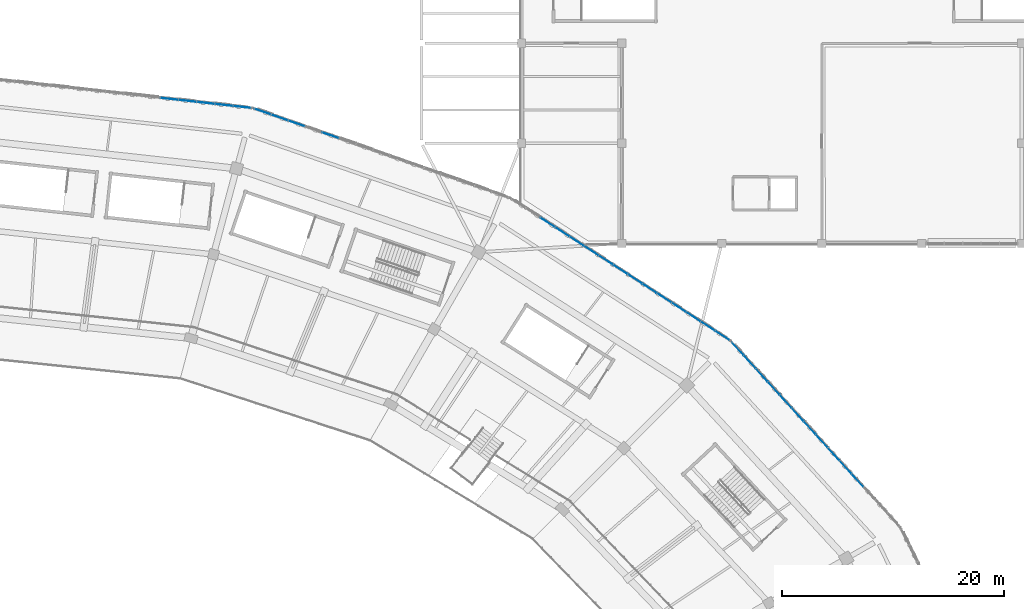
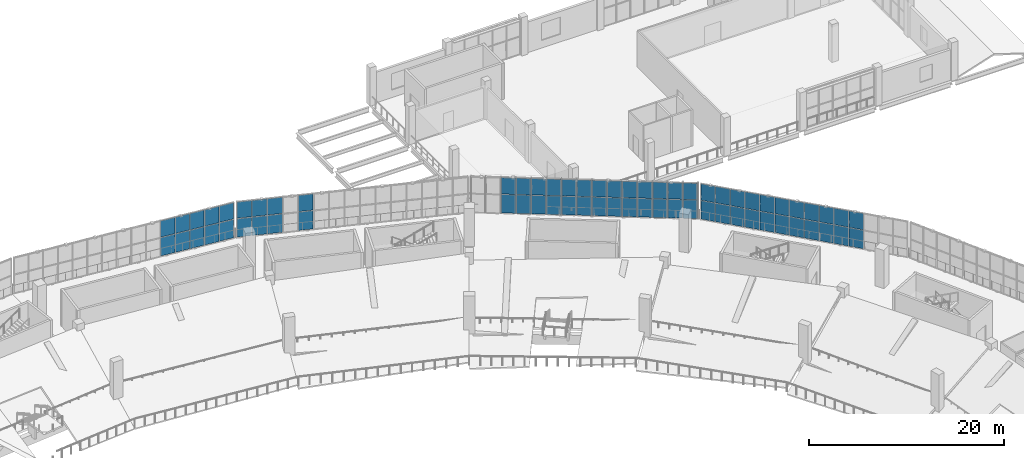
# One storey, part 87 of 152: 66 plates, 4 elements without a shape of their own.
"""IFC4 building model written with IfcOpenShell, lengths in metres."""

from ifc_helpers import new_model, si_unit, direction, frame, origin, origin_2d, place, context, subcontext, project, spatial, rectangle, extrude, material, layer, layer_set, type_object, element, aggregate, save


model = new_model("IFC4")

# Units and contexts
model_context = context("Model", 3, precision=1e-05, world=origin(), true_north=direction((0.0, 1.0)))
body_context = subcontext(model_context, "Body", "Model", "MODEL_VIEW")
ifc_project = project(units=[si_unit("LENGTHUNIT", "METRE"), si_unit("AREAUNIT", "SQUARE_METRE"), si_unit("VOLUMEUNIT", "CUBIC_METRE"), si_unit("PLANEANGLEUNIT", "RADIAN"), si_unit("MASSUNIT", "GRAM", prefix="KILO")], contexts=[model_context])

# Site, building, storey
site_placement = place(None, origin())
site = spatial("IfcSite", under=ifc_project, at=site_placement, CompositionType="ELEMENT")
building_placement = place(site_placement, origin())
building = spatial("IfcBuilding", under=site, at=building_placement, Name="Zevraka Park Crest Stadium", CompositionType="ELEMENT")
storey_placement = place(building_placement, frame((0.0, 0.0, 15.0)))
storey = spatial("IfcBuildingStorey", under=building, at=storey_placement, Name="L03", CompositionType="ELEMENT", Elevation=15.0)

# Curtain wall, plates
ifc_material_1 = material(Name="Anodised architectural aluminium and laminated safety glass", Category="aluminium")
curtain_wall_type_1 = type_object("IfcCurtainWallType", Name="CW11", PredefinedType="NOTDEFINED", material=ifc_material_1)
curtain_wall_1_placement = place(storey_placement, origin())
curtain_wall_1 = element("IfcCurtainWall", 1, at=curtain_wall_1_placement, inside=storey, type_object=curtain_wall_type_1, Name="Unitised Ring Curtain Wall CW11 L03-05", PredefinedType="NOTDEFINED")
ifc_material_2 = material(Name="Solar-control laminated double glazing", Category="glass")
ifc_layer_1 = layer(ifc_material_2, 0.028076171875)
ifc_layer_set_1 = layer_set([ifc_layer_1], Name="Solar-control laminated double glazing")
plate_type_1 = type_object("IfcPlateType", Name="CP11", PredefinedType="CURTAIN_PANEL", material=ifc_layer_set_1)
plate_1_placement = place(storey_placement, frame((135.86376953125, 170.268798828125, 0.06494140625), z_axis=(0.0, 0.0, 1.0), x_axis=(-0.993887680665, 0.110396006373, 0.0)))
plate_1 = element("IfcPlate", 2, at=plate_1_placement, type_object=plate_type_1, Name="CW11 panel 1.1", PredefinedType="CURTAIN_PANEL", context=body_context, shape_type="SweptSolid", body=[
    extrude(rectangle(XDim=1.550537109375, YDim=0.028076171875, at=origin_2d()), origin(), (0.0, 0.0, 1.0), 2.302490234375),
])
plate_2_placement = place(storey_placement, frame((135.86376953125, 170.268798828125, 2.4326171875), z_axis=(0.0, 0.0, 1.0), x_axis=(-0.993887680665, 0.110396006373, 0.0)))
plate_2 = element("IfcPlate", 3, at=plate_2_placement, type_object=plate_type_1, Name="CW11 panel 1.2", PredefinedType="CURTAIN_PANEL", context=body_context, shape_type="SweptSolid", body=[
    extrude(rectangle(XDim=1.550537109375, YDim=0.028076171875, at=origin_2d()), origin(), (0.0, 0.0, 1.0), 2.04248046875),
])
plate_3_placement = place(storey_placement, frame((134.2421875, 170.448974609375, 0.06494140625), z_axis=(0.0, 0.0, 1.0), x_axis=(-0.993887680665, 0.110396006373, 0.0)))
plate_3 = element("IfcPlate", 4, at=plate_3_placement, type_object=plate_type_1, Name="CW11 panel 2.1", PredefinedType="CURTAIN_PANEL", context=body_context, shape_type="SweptSolid", body=[
    extrude(rectangle(XDim=1.5830078125, YDim=0.028076171875, at=origin_2d()), origin(), (0.0, 0.0, 1.0), 2.302490234375),
])
plate_4_placement = place(storey_placement, frame((134.2421875, 170.448974609375, 2.4326171875), z_axis=(0.0, 0.0, 1.0), x_axis=(-0.993887680665, 0.110396006373, 0.0)))
plate_4 = element("IfcPlate", 5, at=plate_4_placement, type_object=plate_type_1, Name="CW11 panel 2.2", PredefinedType="CURTAIN_PANEL", context=body_context, shape_type="SweptSolid", body=[
    extrude(rectangle(XDim=1.5830078125, YDim=0.028076171875, at=origin_2d()), origin(), (0.0, 0.0, 1.0), 2.04248046875),
])
plate_5_placement = place(storey_placement, frame((132.604248046875, 170.630859375, 0.06494140625), z_axis=(0.0, 0.0, 1.0), x_axis=(-0.993887680665, 0.110396006373, 0.0)))
plate_5 = element("IfcPlate", 6, at=plate_5_placement, type_object=plate_type_1, Name="CW11 panel 3.1", PredefinedType="CURTAIN_PANEL", context=body_context, shape_type="SweptSolid", body=[
    extrude(rectangle(XDim=1.5830078125, YDim=0.028076171875, at=origin_2d()), origin(), (0.0, 0.0, 1.0), 2.302490234375),
])
plate_6_placement = place(storey_placement, frame((132.604248046875, 170.630859375, 2.4326171875), z_axis=(0.0, 0.0, 1.0), x_axis=(-0.993887680665, 0.110396006373, 0.0)))
plate_6 = element("IfcPlate", 7, at=plate_6_placement, type_object=plate_type_1, Name="CW11 panel 3.2", PredefinedType="CURTAIN_PANEL", context=body_context, shape_type="SweptSolid", body=[
    extrude(rectangle(XDim=1.5830078125, YDim=0.028076171875, at=origin_2d()), origin(), (0.0, 0.0, 1.0), 2.04248046875),
])
plate_7_placement = place(storey_placement, frame((130.96630859375, 170.812744140625, 0.06494140625), z_axis=(0.0, 0.0, 1.0), x_axis=(-0.993887680665, 0.110396006373, 0.0)))
plate_7 = element("IfcPlate", 8, at=plate_7_placement, type_object=plate_type_1, Name="CW11 panel 4.1", PredefinedType="CURTAIN_PANEL", context=body_context, shape_type="SweptSolid", body=[
    extrude(rectangle(XDim=1.5830078125, YDim=0.028076171875, at=origin_2d()), origin(), (0.0, 0.0, 1.0), 2.302490234375),
])
plate_8_placement = place(storey_placement, frame((130.96630859375, 170.812744140625, 2.4326171875), z_axis=(0.0, 0.0, 1.0), x_axis=(-0.993887680665, 0.110396006373, 0.0)))
plate_8 = element("IfcPlate", 9, at=plate_8_placement, type_object=plate_type_1, Name="CW11 panel 4.2", PredefinedType="CURTAIN_PANEL", context=body_context, shape_type="SweptSolid", body=[
    extrude(rectangle(XDim=1.5830078125, YDim=0.028076171875, at=origin_2d()), origin(), (0.0, 0.0, 1.0), 2.04248046875),
])
plate_9_placement = place(storey_placement, frame((129.328369140625, 170.99462890625, 0.06494140625), z_axis=(0.0, 0.0, 1.0), x_axis=(-0.993887680665, 0.110396006373, 0.0)))
plate_9 = element("IfcPlate", 10, at=plate_9_placement, type_object=plate_type_1, Name="CW11 panel 5.1", PredefinedType="CURTAIN_PANEL", context=body_context, shape_type="SweptSolid", body=[
    extrude(rectangle(XDim=1.5830078125, YDim=0.028076171875, at=origin_2d()), origin(), (0.0, 0.0, 1.0), 2.302490234375),
])
plate_10_placement = place(storey_placement, frame((129.328369140625, 170.99462890625, 2.4326171875), z_axis=(0.0, 0.0, 1.0), x_axis=(-0.993887680665, 0.110396006373, 0.0)))
plate_10 = element("IfcPlate", 11, at=plate_10_placement, type_object=plate_type_1, Name="CW11 panel 5.2", PredefinedType="CURTAIN_PANEL", context=body_context, shape_type="SweptSolid", body=[
    extrude(rectangle(XDim=1.5830078125, YDim=0.028076171875, at=origin_2d()), origin(), (0.0, 0.0, 1.0), 2.04248046875),
])
aggregate(curtain_wall_1, [plate_1, plate_2, plate_3, plate_4, plate_5, plate_6, plate_7, plate_8, plate_9, plate_10])

ifc_material_3 = material(Name="Anodised architectural aluminium and laminated safety glass", Category="aluminium")
curtain_wall_type_2 = type_object("IfcCurtainWallType", Name="CW12", PredefinedType="NOTDEFINED", material=ifc_material_3)
curtain_wall_2_placement = place(storey_placement, origin())
curtain_wall_2 = element("IfcCurtainWall", 12, at=curtain_wall_2_placement, inside=storey, type_object=curtain_wall_type_2, Name="Unitised Ring Curtain Wall CW12 L03-04", PredefinedType="NOTDEFINED")
ifc_material_4 = material(Name="Solar-control laminated double glazing", Category="glass")
ifc_layer_2 = layer(ifc_material_4, 0.028076171875)
ifc_layer_set_2 = layer_set([ifc_layer_2], Name="Solar-control laminated double glazing")
plate_type_2 = type_object("IfcPlateType", Name="CP12", PredefinedType="CURTAIN_PANEL", material=ifc_layer_set_2)
plate_11_placement = place(storey_placement, frame((143.8193359375, 167.71826171875, 0.070068359375), z_axis=(0.0, 0.0, 1.0), x_axis=(-0.944010008092, 0.329916814701, 0.0)))
plate_11 = element("IfcPlate", 13, at=plate_11_placement, type_object=plate_type_2, Name="CW12 panel 11.1", PredefinedType="CURTAIN_PANEL", context=body_context, shape_type="SweptSolid", body=[
    extrude(rectangle(XDim=1.54638671875, YDim=0.028076171875, at=origin_2d()), origin(), (0.0, 0.0, 1.0), 2.294921875),
])
plate_12_placement = place(storey_placement, frame((143.8193359375, 167.71826171875, 2.43505859375), z_axis=(0.0, 0.0, 1.0), x_axis=(-0.944010008092, 0.329916814701, 0.0)))
plate_12 = element("IfcPlate", 14, at=plate_12_placement, type_object=plate_type_2, Name="CW12 panel 11.2", PredefinedType="CURTAIN_PANEL", context=body_context, shape_type="SweptSolid", body=[
    extrude(rectangle(XDim=1.54638671875, YDim=0.028076171875, at=origin_2d()), origin(), (0.0, 0.0, 1.0), 2.034912109375),
])
plate_13_placement = place(storey_placement, frame((140.767578125, 168.784912109375, 0.070068359375), z_axis=(0.0, 0.0, 1.0), x_axis=(-0.944010008092, 0.329916814701, 0.0)))
plate_13 = element("IfcPlate", 15, at=plate_13_placement, type_object=plate_type_2, Name="CW12 panel 13.1", PredefinedType="CURTAIN_PANEL", context=body_context, shape_type="SweptSolid", body=[
    extrude(rectangle(XDim=1.54638671875, YDim=0.028076171875, at=origin_2d()), origin(), (0.0, 0.0, 1.0), 2.294921875),
])
plate_14_placement = place(storey_placement, frame((140.767578125, 168.784912109375, 2.43505859375), z_axis=(0.0, 0.0, 1.0), x_axis=(-0.944010008092, 0.329916814701, 0.0)))
plate_14 = element("IfcPlate", 16, at=plate_14_placement, type_object=plate_type_2, Name="CW12 panel 13.2", PredefinedType="CURTAIN_PANEL", context=body_context, shape_type="SweptSolid", body=[
    extrude(rectangle(XDim=1.54638671875, YDim=0.028076171875, at=origin_2d()), origin(), (0.0, 0.0, 1.0), 2.034912109375),
])
plate_15_placement = place(storey_placement, frame((139.24169921875, 169.318115234375, 0.070068359375), z_axis=(0.0, 0.0, 1.0), x_axis=(-0.944010008092, 0.329916814701, 0.0)))
plate_15 = element("IfcPlate", 17, at=plate_15_placement, type_object=plate_type_2, Name="CW12 panel 14.1", PredefinedType="CURTAIN_PANEL", context=body_context, shape_type="SweptSolid", body=[
    extrude(rectangle(XDim=1.54638671875, YDim=0.028076171875, at=origin_2d()), origin(), (0.0, 0.0, 1.0), 2.294921875),
])
plate_16_placement = place(storey_placement, frame((139.24169921875, 169.318115234375, 2.43505859375), z_axis=(0.0, 0.0, 1.0), x_axis=(-0.944010008092, 0.329916814701, 0.0)))
plate_16 = element("IfcPlate", 18, at=plate_16_placement, type_object=plate_type_2, Name="CW12 panel 14.2", PredefinedType="CURTAIN_PANEL", context=body_context, shape_type="SweptSolid", body=[
    extrude(rectangle(XDim=1.54638671875, YDim=0.028076171875, at=origin_2d()), origin(), (0.0, 0.0, 1.0), 2.034912109375),
])
plate_17_placement = place(storey_placement, frame((137.732421875, 169.845703125, 0.070068359375), z_axis=(0.0, 0.0, 1.0), x_axis=(-0.944010008092, 0.329916814701, 0.0)))
plate_17 = element("IfcPlate", 19, at=plate_17_placement, type_object=plate_type_2, Name="CW12 panel 15.1", PredefinedType="CURTAIN_PANEL", context=body_context, shape_type="SweptSolid", body=[
    extrude(rectangle(XDim=1.511474609375, YDim=0.028076171875, at=origin_2d()), origin(), (0.0, 0.0, 1.0), 2.294921875),
])
plate_18_placement = place(storey_placement, frame((137.732421875, 169.845703125, 2.43505859375), z_axis=(0.0, 0.0, 1.0), x_axis=(-0.944010008092, 0.329916814701, 0.0)))
plate_18 = element("IfcPlate", 20, at=plate_18_placement, type_object=plate_type_2, Name="CW12 panel 15.2", PredefinedType="CURTAIN_PANEL", context=body_context, shape_type="SweptSolid", body=[
    extrude(rectangle(XDim=1.511474609375, YDim=0.028076171875, at=origin_2d()), origin(), (0.0, 0.0, 1.0), 2.034912109375),
])
aggregate(curtain_wall_2, [plate_11, plate_12, plate_13, plate_14, plate_15, plate_16, plate_17, plate_18])

ifc_material_5 = material(Name="Anodised architectural aluminium and laminated safety glass", Category="aluminium")
curtain_wall_type_3 = type_object("IfcCurtainWallType", Name="CW13", PredefinedType="NOTDEFINED", material=ifc_material_5)
curtain_wall_3_placement = place(storey_placement, origin())
curtain_wall_3 = element("IfcCurtainWall", 21, at=curtain_wall_3_placement, inside=storey, type_object=curtain_wall_type_3, Name="Unitised Ring Curtain Wall CW13 L03-02", PredefinedType="NOTDEFINED")
ifc_material_6 = material(Name="Solar-control laminated double glazing", Category="glass")
ifc_layer_3 = layer(ifc_material_6, 0.031982421875)
ifc_layer_set_3 = layer_set([ifc_layer_3], Name="Solar-control laminated double glazing")
plate_type_3 = type_object("IfcPlateType", Name="CP13", PredefinedType="CURTAIN_PANEL", material=ifc_layer_set_3)
plate_19_placement = place(storey_placement, frame((191.218017578125, 136.692138671875, 0.06005859375), z_axis=(0.0, 0.0, 1.0), x_axis=(-0.672801685845, 0.739822878481, 0.0)))
plate_19 = element("IfcPlate", 22, at=plate_19_placement, type_object=plate_type_3, Name="CW13 panel 4.1", PredefinedType="CURTAIN_PANEL", context=body_context, shape_type="SweptSolid", body=[
    extrude(rectangle(XDim=1.539794921875, YDim=0.031982421875, at=origin_2d()), origin(), (0.0, 0.0, 1.0), 2.31005859375),
])
plate_20_placement = place(storey_placement, frame((191.218017578125, 136.692138671875, 2.43017578125), z_axis=(0.0, 0.0, 1.0), x_axis=(-0.672801685845, 0.739822878481, 0.0)))
plate_20 = element("IfcPlate", 23, at=plate_20_placement, type_object=plate_type_3, Name="CW13 panel 4.2", PredefinedType="CURTAIN_PANEL", context=body_context, shape_type="SweptSolid", body=[
    extrude(rectangle(XDim=1.539794921875, YDim=0.031982421875, at=origin_2d()), origin(), (0.0, 0.0, 1.0), 2.050048828125),
])
plate_21_placement = place(storey_placement, frame((190.1416015625, 137.875732421875, 0.06005859375), z_axis=(0.0, 0.0, 1.0), x_axis=(-0.672801685845, 0.739822878481, 0.0)))
plate_21 = element("IfcPlate", 24, at=plate_21_placement, type_object=plate_type_3, Name="CW13 panel 5.1", PredefinedType="CURTAIN_PANEL", context=body_context, shape_type="SweptSolid", body=[
    extrude(rectangle(XDim=1.539794921875, YDim=0.031982421875, at=origin_2d()), origin(), (0.0, 0.0, 1.0), 2.31005859375),
])
plate_22_placement = place(storey_placement, frame((190.1416015625, 137.875732421875, 2.43017578125), z_axis=(0.0, 0.0, 1.0), x_axis=(-0.672801685845, 0.739822878481, 0.0)))
plate_22 = element("IfcPlate", 25, at=plate_22_placement, type_object=plate_type_3, Name="CW13 panel 5.2", PredefinedType="CURTAIN_PANEL", context=body_context, shape_type="SweptSolid", body=[
    extrude(rectangle(XDim=1.539794921875, YDim=0.031982421875, at=origin_2d()), origin(), (0.0, 0.0, 1.0), 2.050048828125),
])
plate_23_placement = place(storey_placement, frame((189.0654296875, 139.059326171875, 0.06005859375), z_axis=(0.0, 0.0, 1.0), x_axis=(-0.672801685845, 0.739822878481, 0.0)))
plate_23 = element("IfcPlate", 26, at=plate_23_placement, type_object=plate_type_3, Name="CW13 panel 6.1", PredefinedType="CURTAIN_PANEL", context=body_context, shape_type="SweptSolid", body=[
    extrude(rectangle(XDim=1.539794921875, YDim=0.031982421875, at=origin_2d()), origin(), (0.0, 0.0, 1.0), 2.31005859375),
])
plate_24_placement = place(storey_placement, frame((189.0654296875, 139.059326171875, 2.43017578125), z_axis=(0.0, 0.0, 1.0), x_axis=(-0.672801685845, 0.739822878481, 0.0)))
plate_24 = element("IfcPlate", 27, at=plate_24_placement, type_object=plate_type_3, Name="CW13 panel 6.2", PredefinedType="CURTAIN_PANEL", context=body_context, shape_type="SweptSolid", body=[
    extrude(rectangle(XDim=1.539794921875, YDim=0.031982421875, at=origin_2d()), origin(), (0.0, 0.0, 1.0), 2.050048828125),
])
plate_25_placement = place(storey_placement, frame((187.9892578125, 140.24267578125, 0.06005859375), z_axis=(0.0, 0.0, 1.0), x_axis=(-0.672801685845, 0.739822878481, 0.0)))
plate_25 = element("IfcPlate", 28, at=plate_25_placement, type_object=plate_type_3, Name="CW13 panel 7.1", PredefinedType="CURTAIN_PANEL", context=body_context, shape_type="SweptSolid", body=[
    extrude(rectangle(XDim=1.539794921875, YDim=0.031982421875, at=origin_2d()), origin(), (0.0, 0.0, 1.0), 2.31005859375),
])
plate_26_placement = place(storey_placement, frame((187.9892578125, 140.24267578125, 2.43017578125), z_axis=(0.0, 0.0, 1.0), x_axis=(-0.672801685845, 0.739822878481, 0.0)))
plate_26 = element("IfcPlate", 29, at=plate_26_placement, type_object=plate_type_3, Name="CW13 panel 7.2", PredefinedType="CURTAIN_PANEL", context=body_context, shape_type="SweptSolid", body=[
    extrude(rectangle(XDim=1.539794921875, YDim=0.031982421875, at=origin_2d()), origin(), (0.0, 0.0, 1.0), 2.050048828125),
])
plate_27_placement = place(storey_placement, frame((186.912841796875, 141.42626953125, 0.06005859375), z_axis=(0.0, 0.0, 1.0), x_axis=(-0.672801685845, 0.739822878481, 0.0)))
plate_27 = element("IfcPlate", 30, at=plate_27_placement, type_object=plate_type_3, Name="CW13 panel 8.1", PredefinedType="CURTAIN_PANEL", context=body_context, shape_type="SweptSolid", body=[
    extrude(rectangle(XDim=1.539794921875, YDim=0.031982421875, at=origin_2d()), origin(), (0.0, 0.0, 1.0), 2.31005859375),
])
plate_28_placement = place(storey_placement, frame((186.912841796875, 141.42626953125, 2.43017578125), z_axis=(0.0, 0.0, 1.0), x_axis=(-0.672801685845, 0.739822878481, 0.0)))
plate_28 = element("IfcPlate", 31, at=plate_28_placement, type_object=plate_type_3, Name="CW13 panel 8.2", PredefinedType="CURTAIN_PANEL", context=body_context, shape_type="SweptSolid", body=[
    extrude(rectangle(XDim=1.539794921875, YDim=0.031982421875, at=origin_2d()), origin(), (0.0, 0.0, 1.0), 2.050048828125),
])
plate_29_placement = place(storey_placement, frame((185.836669921875, 142.60986328125, 0.06005859375), z_axis=(0.0, 0.0, 1.0), x_axis=(-0.672801685845, 0.739822878481, 0.0)))
plate_29 = element("IfcPlate", 32, at=plate_29_placement, type_object=plate_type_3, Name="CW13 panel 9.1", PredefinedType="CURTAIN_PANEL", context=body_context, shape_type="SweptSolid", body=[
    extrude(rectangle(XDim=1.539794921875, YDim=0.031982421875, at=origin_2d()), origin(), (0.0, 0.0, 1.0), 2.31005859375),
])
plate_30_placement = place(storey_placement, frame((185.836669921875, 142.60986328125, 2.43017578125), z_axis=(0.0, 0.0, 1.0), x_axis=(-0.672801685845, 0.739822878481, 0.0)))
plate_30 = element("IfcPlate", 33, at=plate_30_placement, type_object=plate_type_3, Name="CW13 panel 9.2", PredefinedType="CURTAIN_PANEL", context=body_context, shape_type="SweptSolid", body=[
    extrude(rectangle(XDim=1.539794921875, YDim=0.031982421875, at=origin_2d()), origin(), (0.0, 0.0, 1.0), 2.050048828125),
])
plate_31_placement = place(storey_placement, frame((184.76025390625, 143.793212890625, 0.06005859375), z_axis=(0.0, 0.0, 1.0), x_axis=(-0.672801685845, 0.739822878481, 0.0)))
plate_31 = element("IfcPlate", 34, at=plate_31_placement, type_object=plate_type_3, Name="CW13 panel 10.1", PredefinedType="CURTAIN_PANEL", context=body_context, shape_type="SweptSolid", body=[
    extrude(rectangle(XDim=1.539794921875, YDim=0.031982421875, at=origin_2d()), origin(), (0.0, 0.0, 1.0), 2.31005859375),
])
plate_32_placement = place(storey_placement, frame((184.76025390625, 143.793212890625, 2.43017578125), z_axis=(0.0, 0.0, 1.0), x_axis=(-0.672801685845, 0.739822878481, 0.0)))
plate_32 = element("IfcPlate", 35, at=plate_32_placement, type_object=plate_type_3, Name="CW13 panel 10.2", PredefinedType="CURTAIN_PANEL", context=body_context, shape_type="SweptSolid", body=[
    extrude(rectangle(XDim=1.539794921875, YDim=0.031982421875, at=origin_2d()), origin(), (0.0, 0.0, 1.0), 2.050048828125),
])
plate_33_placement = place(storey_placement, frame((183.68408203125, 144.976806640625, 0.06005859375), z_axis=(0.0, 0.0, 1.0), x_axis=(-0.672801685845, 0.739822878481, 0.0)))
plate_33 = element("IfcPlate", 36, at=plate_33_placement, type_object=plate_type_3, Name="CW13 panel 11.1", PredefinedType="CURTAIN_PANEL", context=body_context, shape_type="SweptSolid", body=[
    extrude(rectangle(XDim=1.539794921875, YDim=0.031982421875, at=origin_2d()), origin(), (0.0, 0.0, 1.0), 2.31005859375),
])
plate_34_placement = place(storey_placement, frame((183.68408203125, 144.976806640625, 2.43017578125), z_axis=(0.0, 0.0, 1.0), x_axis=(-0.672801685845, 0.739822878481, 0.0)))
plate_34 = element("IfcPlate", 37, at=plate_34_placement, type_object=plate_type_3, Name="CW13 panel 11.2", PredefinedType="CURTAIN_PANEL", context=body_context, shape_type="SweptSolid", body=[
    extrude(rectangle(XDim=1.539794921875, YDim=0.031982421875, at=origin_2d()), origin(), (0.0, 0.0, 1.0), 2.050048828125),
])
plate_35_placement = place(storey_placement, frame((182.607666015625, 146.16015625, 0.06005859375), z_axis=(0.0, 0.0, 1.0), x_axis=(-0.672801685845, 0.739822878481, 0.0)))
plate_35 = element("IfcPlate", 38, at=plate_35_placement, type_object=plate_type_3, Name="CW13 panel 12.1", PredefinedType="CURTAIN_PANEL", context=body_context, shape_type="SweptSolid", body=[
    extrude(rectangle(XDim=1.539794921875, YDim=0.031982421875, at=origin_2d()), origin(), (0.0, 0.0, 1.0), 2.31005859375),
])
plate_36_placement = place(storey_placement, frame((182.607666015625, 146.16015625, 2.43017578125), z_axis=(0.0, 0.0, 1.0), x_axis=(-0.672801685845, 0.739822878481, 0.0)))
plate_36 = element("IfcPlate", 39, at=plate_36_placement, type_object=plate_type_3, Name="CW13 panel 12.2", PredefinedType="CURTAIN_PANEL", context=body_context, shape_type="SweptSolid", body=[
    extrude(rectangle(XDim=1.539794921875, YDim=0.031982421875, at=origin_2d()), origin(), (0.0, 0.0, 1.0), 2.050048828125),
])
plate_37_placement = place(storey_placement, frame((181.531494140625, 147.34375, 0.06005859375), z_axis=(0.0, 0.0, 1.0), x_axis=(-0.672801685845, 0.739822878481, 0.0)))
plate_37 = element("IfcPlate", 40, at=plate_37_placement, type_object=plate_type_3, Name="CW13 panel 13.1", PredefinedType="CURTAIN_PANEL", context=body_context, shape_type="SweptSolid", body=[
    extrude(rectangle(XDim=1.539794921875, YDim=0.031982421875, at=origin_2d()), origin(), (0.0, 0.0, 1.0), 2.31005859375),
])
plate_38_placement = place(storey_placement, frame((181.531494140625, 147.34375, 2.43017578125), z_axis=(0.0, 0.0, 1.0), x_axis=(-0.672801685845, 0.739822878481, 0.0)))
plate_38 = element("IfcPlate", 41, at=plate_38_placement, type_object=plate_type_3, Name="CW13 panel 13.2", PredefinedType="CURTAIN_PANEL", context=body_context, shape_type="SweptSolid", body=[
    extrude(rectangle(XDim=1.539794921875, YDim=0.031982421875, at=origin_2d()), origin(), (0.0, 0.0, 1.0), 2.050048828125),
])
plate_39_placement = place(storey_placement, frame((180.46533203125, 148.51611328125, 0.06005859375), z_axis=(0.0, 0.0, 1.0), x_axis=(-0.672801685845, 0.739822878481, 0.0)))
plate_39 = element("IfcPlate", 42, at=plate_39_placement, type_object=plate_type_3, Name="CW13 panel 14.1", PredefinedType="CURTAIN_PANEL", context=body_context, shape_type="SweptSolid", body=[
    extrude(rectangle(XDim=1.509765625, YDim=0.031982421875, at=origin_2d()), origin(), (0.0, 0.0, 1.0), 2.31005859375),
])
plate_40_placement = place(storey_placement, frame((180.46533203125, 148.51611328125, 2.43017578125), z_axis=(0.0, 0.0, 1.0), x_axis=(-0.672801685845, 0.739822878481, 0.0)))
plate_40 = element("IfcPlate", 43, at=plate_40_placement, type_object=plate_type_3, Name="CW13 panel 14.2", PredefinedType="CURTAIN_PANEL", context=body_context, shape_type="SweptSolid", body=[
    extrude(rectangle(XDim=1.509765625, YDim=0.031982421875, at=origin_2d()), origin(), (0.0, 0.0, 1.0), 2.050048828125),
])
aggregate(curtain_wall_3, [plate_19, plate_20, plate_21, plate_22, plate_23, plate_24, plate_25, plate_26, plate_27, plate_28, plate_29, plate_30, plate_31, plate_32, plate_33, plate_34, plate_35, plate_36, plate_37, plate_38, plate_39, plate_40])

curtain_wall_4_placement = place(storey_placement, origin())
curtain_wall_4 = element("IfcCurtainWall", 44, at=curtain_wall_4_placement, inside=storey, type_object=curtain_wall_type_3, Name="Unitised Ring Curtain Wall CW13 L03-03", PredefinedType="NOTDEFINED")
plate_41_placement = place(storey_placement, frame((179.053466796875, 149.717041015625, 0.06005859375), z_axis=(0.0, 0.0, 1.0), x_axis=(-0.839429134517, 0.543469160232, 0.0)))
plate_41 = element("IfcPlate", 45, at=plate_41_placement, type_object=plate_type_3, Name="CW13 panel 1.1", PredefinedType="CURTAIN_PANEL", context=body_context, shape_type="SweptSolid", body=[
    extrude(rectangle(XDim=1.470458984375, YDim=0.031982421875, at=origin_2d()), origin(), (0.0, 0.0, 1.0), 2.31005859375),
])
plate_42_placement = place(storey_placement, frame((179.053466796875, 149.717041015625, 2.43017578125), z_axis=(0.0, 0.0, 1.0), x_axis=(-0.839429134517, 0.543469160232, 0.0)))
plate_42 = element("IfcPlate", 46, at=plate_42_placement, type_object=plate_type_3, Name="CW13 panel 1.2", PredefinedType="CURTAIN_PANEL", context=body_context, shape_type="SweptSolid", body=[
    extrude(rectangle(XDim=1.470458984375, YDim=0.031982421875, at=origin_2d()), origin(), (0.0, 0.0, 1.0), 2.050048828125),
])
plate_43_placement = place(storey_placement, frame((177.75634765625, 150.556884765625, 0.06005859375), z_axis=(0.0, 0.0, 1.0), x_axis=(-0.839429134517, 0.543469160232, 0.0)))
plate_43 = element("IfcPlate", 47, at=plate_43_placement, type_object=plate_type_3, Name="CW13 panel 2.1", PredefinedType="CURTAIN_PANEL", context=body_context, shape_type="SweptSolid", body=[
    extrude(rectangle(XDim=1.500244140625, YDim=0.031982421875, at=origin_2d()), origin(), (0.0, 0.0, 1.0), 2.31005859375),
])
plate_44_placement = place(storey_placement, frame((177.75634765625, 150.556884765625, 2.43017578125), z_axis=(0.0, 0.0, 1.0), x_axis=(-0.839429134517, 0.543469160232, 0.0)))
plate_44 = element("IfcPlate", 48, at=plate_44_placement, type_object=plate_type_3, Name="CW13 panel 2.2", PredefinedType="CURTAIN_PANEL", context=body_context, shape_type="SweptSolid", body=[
    extrude(rectangle(XDim=1.500244140625, YDim=0.031982421875, at=origin_2d()), origin(), (0.0, 0.0, 1.0), 2.050048828125),
])
plate_45_placement = place(storey_placement, frame((176.446533203125, 151.405029296875, 0.06005859375), z_axis=(0.0, 0.0, 1.0), x_axis=(-0.839429134517, 0.543469160232, 0.0)))
plate_45 = element("IfcPlate", 49, at=plate_45_placement, type_object=plate_type_3, Name="CW13 panel 3.1", PredefinedType="CURTAIN_PANEL", context=body_context, shape_type="SweptSolid", body=[
    extrude(rectangle(XDim=1.500244140625, YDim=0.031982421875, at=origin_2d()), origin(), (0.0, 0.0, 1.0), 2.31005859375),
])
plate_46_placement = place(storey_placement, frame((176.446533203125, 151.405029296875, 2.43017578125), z_axis=(0.0, 0.0, 1.0), x_axis=(-0.839429134517, 0.543469160232, 0.0)))
plate_46 = element("IfcPlate", 50, at=plate_46_placement, type_object=plate_type_3, Name="CW13 panel 3.2", PredefinedType="CURTAIN_PANEL", context=body_context, shape_type="SweptSolid", body=[
    extrude(rectangle(XDim=1.500244140625, YDim=0.031982421875, at=origin_2d()), origin(), (0.0, 0.0, 1.0), 2.050048828125),
])
plate_47_placement = place(storey_placement, frame((175.13671875, 152.2529296875, 0.06005859375), z_axis=(0.0, 0.0, 1.0), x_axis=(-0.839429134517, 0.543469160232, 0.0)))
plate_47 = element("IfcPlate", 51, at=plate_47_placement, type_object=plate_type_3, Name="CW13 panel 4.1", PredefinedType="CURTAIN_PANEL", context=body_context, shape_type="SweptSolid", body=[
    extrude(rectangle(XDim=1.500244140625, YDim=0.031982421875, at=origin_2d()), origin(), (0.0, 0.0, 1.0), 2.31005859375),
])
plate_48_placement = place(storey_placement, frame((175.13671875, 152.2529296875, 2.43017578125), z_axis=(0.0, 0.0, 1.0), x_axis=(-0.839429134517, 0.543469160232, 0.0)))
plate_48 = element("IfcPlate", 52, at=plate_48_placement, type_object=plate_type_3, Name="CW13 panel 4.2", PredefinedType="CURTAIN_PANEL", context=body_context, shape_type="SweptSolid", body=[
    extrude(rectangle(XDim=1.500244140625, YDim=0.031982421875, at=origin_2d()), origin(), (0.0, 0.0, 1.0), 2.050048828125),
])
plate_49_placement = place(storey_placement, frame((173.826904296875, 153.10107421875, 0.06005859375), z_axis=(0.0, 0.0, 1.0), x_axis=(-0.839429134517, 0.543469160232, 0.0)))
plate_49 = element("IfcPlate", 53, at=plate_49_placement, type_object=plate_type_3, Name="CW13 panel 5.1", PredefinedType="CURTAIN_PANEL", context=body_context, shape_type="SweptSolid", body=[
    extrude(rectangle(XDim=1.500244140625, YDim=0.031982421875, at=origin_2d()), origin(), (0.0, 0.0, 1.0), 2.31005859375),
])
plate_50_placement = place(storey_placement, frame((173.826904296875, 153.10107421875, 2.43017578125), z_axis=(0.0, 0.0, 1.0), x_axis=(-0.839429134517, 0.543469160232, 0.0)))
plate_50 = element("IfcPlate", 54, at=plate_50_placement, type_object=plate_type_3, Name="CW13 panel 5.2", PredefinedType="CURTAIN_PANEL", context=body_context, shape_type="SweptSolid", body=[
    extrude(rectangle(XDim=1.500244140625, YDim=0.031982421875, at=origin_2d()), origin(), (0.0, 0.0, 1.0), 2.050048828125),
])
plate_51_placement = place(storey_placement, frame((172.51708984375, 153.948974609375, 0.06005859375), z_axis=(0.0, 0.0, 1.0), x_axis=(-0.839429134517, 0.543469160232, 0.0)))
plate_51 = element("IfcPlate", 55, at=plate_51_placement, type_object=plate_type_3, Name="CW13 panel 6.1", PredefinedType="CURTAIN_PANEL", context=body_context, shape_type="SweptSolid", body=[
    extrude(rectangle(XDim=1.500244140625, YDim=0.031982421875, at=origin_2d()), origin(), (0.0, 0.0, 1.0), 2.31005859375),
])
plate_52_placement = place(storey_placement, frame((172.51708984375, 153.948974609375, 2.43017578125), z_axis=(0.0, 0.0, 1.0), x_axis=(-0.839429134517, 0.543469160232, 0.0)))
plate_52 = element("IfcPlate", 56, at=plate_52_placement, type_object=plate_type_3, Name="CW13 panel 6.2", PredefinedType="CURTAIN_PANEL", context=body_context, shape_type="SweptSolid", body=[
    extrude(rectangle(XDim=1.500244140625, YDim=0.031982421875, at=origin_2d()), origin(), (0.0, 0.0, 1.0), 2.050048828125),
])
plate_53_placement = place(storey_placement, frame((171.207275390625, 154.797119140625, 0.06005859375), z_axis=(0.0, 0.0, 1.0), x_axis=(-0.839429134517, 0.543469160232, 0.0)))
plate_53 = element("IfcPlate", 57, at=plate_53_placement, type_object=plate_type_3, Name="CW13 panel 7.1", PredefinedType="CURTAIN_PANEL", context=body_context, shape_type="SweptSolid", body=[
    extrude(rectangle(XDim=1.500244140625, YDim=0.031982421875, at=origin_2d()), origin(), (0.0, 0.0, 1.0), 2.31005859375),
])
plate_54_placement = place(storey_placement, frame((171.207275390625, 154.797119140625, 2.43017578125), z_axis=(0.0, 0.0, 1.0), x_axis=(-0.839429134517, 0.543469160232, 0.0)))
plate_54 = element("IfcPlate", 58, at=plate_54_placement, type_object=plate_type_3, Name="CW13 panel 7.2", PredefinedType="CURTAIN_PANEL", context=body_context, shape_type="SweptSolid", body=[
    extrude(rectangle(XDim=1.500244140625, YDim=0.031982421875, at=origin_2d()), origin(), (0.0, 0.0, 1.0), 2.050048828125),
])
plate_55_placement = place(storey_placement, frame((169.8974609375, 155.64501953125, 0.06005859375), z_axis=(0.0, 0.0, 1.0), x_axis=(-0.839429134517, 0.543469160232, 0.0)))
plate_55 = element("IfcPlate", 59, at=plate_55_placement, type_object=plate_type_3, Name="CW13 panel 8.1", PredefinedType="CURTAIN_PANEL", context=body_context, shape_type="SweptSolid", body=[
    extrude(rectangle(XDim=1.500244140625, YDim=0.031982421875, at=origin_2d()), origin(), (0.0, 0.0, 1.0), 2.31005859375),
])
plate_56_placement = place(storey_placement, frame((169.8974609375, 155.64501953125, 2.43017578125), z_axis=(0.0, 0.0, 1.0), x_axis=(-0.839429134517, 0.543469160232, 0.0)))
plate_56 = element("IfcPlate", 60, at=plate_56_placement, type_object=plate_type_3, Name="CW13 panel 8.2", PredefinedType="CURTAIN_PANEL", context=body_context, shape_type="SweptSolid", body=[
    extrude(rectangle(XDim=1.500244140625, YDim=0.031982421875, at=origin_2d()), origin(), (0.0, 0.0, 1.0), 2.050048828125),
])
plate_57_placement = place(storey_placement, frame((168.587646484375, 156.492919921875, 0.06005859375), z_axis=(0.0, 0.0, 1.0), x_axis=(-0.839429134517, 0.543469160232, 0.0)))
plate_57 = element("IfcPlate", 61, at=plate_57_placement, type_object=plate_type_3, Name="CW13 panel 9.1", PredefinedType="CURTAIN_PANEL", context=body_context, shape_type="SweptSolid", body=[
    extrude(rectangle(XDim=1.500244140625, YDim=0.031982421875, at=origin_2d()), origin(), (0.0, 0.0, 1.0), 2.31005859375),
])
plate_58_placement = place(storey_placement, frame((168.587646484375, 156.492919921875, 2.43017578125), z_axis=(0.0, 0.0, 1.0), x_axis=(-0.839429134517, 0.543469160232, 0.0)))
plate_58 = element("IfcPlate", 62, at=plate_58_placement, type_object=plate_type_3, Name="CW13 panel 9.2", PredefinedType="CURTAIN_PANEL", context=body_context, shape_type="SweptSolid", body=[
    extrude(rectangle(XDim=1.500244140625, YDim=0.031982421875, at=origin_2d()), origin(), (0.0, 0.0, 1.0), 2.050048828125),
])
plate_59_placement = place(storey_placement, frame((167.27783203125, 157.341064453125, 0.06005859375), z_axis=(0.0, 0.0, 1.0), x_axis=(-0.839429134517, 0.543469160232, 0.0)))
plate_59 = element("IfcPlate", 63, at=plate_59_placement, type_object=plate_type_3, Name="CW13 panel 10.1", PredefinedType="CURTAIN_PANEL", context=body_context, shape_type="SweptSolid", body=[
    extrude(rectangle(XDim=1.500244140625, YDim=0.031982421875, at=origin_2d()), origin(), (0.0, 0.0, 1.0), 2.31005859375),
])
plate_60_placement = place(storey_placement, frame((167.27783203125, 157.341064453125, 2.43017578125), z_axis=(0.0, 0.0, 1.0), x_axis=(-0.839429134517, 0.543469160232, 0.0)))
plate_60 = element("IfcPlate", 64, at=plate_60_placement, type_object=plate_type_3, Name="CW13 panel 10.2", PredefinedType="CURTAIN_PANEL", context=body_context, shape_type="SweptSolid", body=[
    extrude(rectangle(XDim=1.500244140625, YDim=0.031982421875, at=origin_2d()), origin(), (0.0, 0.0, 1.0), 2.050048828125),
])
plate_61_placement = place(storey_placement, frame((165.968017578125, 158.18896484375, 0.06005859375), z_axis=(0.0, 0.0, 1.0), x_axis=(-0.839429134517, 0.543469160232, 0.0)))
plate_61 = element("IfcPlate", 65, at=plate_61_placement, type_object=plate_type_3, Name="CW13 panel 11.1", PredefinedType="CURTAIN_PANEL", context=body_context, shape_type="SweptSolid", body=[
    extrude(rectangle(XDim=1.500244140625, YDim=0.031982421875, at=origin_2d()), origin(), (0.0, 0.0, 1.0), 2.31005859375),
])
plate_62_placement = place(storey_placement, frame((165.968017578125, 158.18896484375, 2.43017578125), z_axis=(0.0, 0.0, 1.0), x_axis=(-0.839429134517, 0.543469160232, 0.0)))
plate_62 = element("IfcPlate", 66, at=plate_62_placement, type_object=plate_type_3, Name="CW13 panel 11.2", PredefinedType="CURTAIN_PANEL", context=body_context, shape_type="SweptSolid", body=[
    extrude(rectangle(XDim=1.500244140625, YDim=0.031982421875, at=origin_2d()), origin(), (0.0, 0.0, 1.0), 2.050048828125),
])
plate_63_placement = place(storey_placement, frame((164.658203125, 159.037109375, 0.06005859375), z_axis=(0.0, 0.0, 1.0), x_axis=(-0.839429134517, 0.543469160232, 0.0)))
plate_63 = element("IfcPlate", 67, at=plate_63_placement, type_object=plate_type_3, Name="CW13 panel 12.1", PredefinedType="CURTAIN_PANEL", context=body_context, shape_type="SweptSolid", body=[
    extrude(rectangle(XDim=1.500244140625, YDim=0.031982421875, at=origin_2d()), origin(), (0.0, 0.0, 1.0), 2.31005859375),
])
plate_64_placement = place(storey_placement, frame((164.658203125, 159.037109375, 2.43017578125), z_axis=(0.0, 0.0, 1.0), x_axis=(-0.839429134517, 0.543469160232, 0.0)))
plate_64 = element("IfcPlate", 68, at=plate_64_placement, type_object=plate_type_3, Name="CW13 panel 12.2", PredefinedType="CURTAIN_PANEL", context=body_context, shape_type="SweptSolid", body=[
    extrude(rectangle(XDim=1.500244140625, YDim=0.031982421875, at=origin_2d()), origin(), (0.0, 0.0, 1.0), 2.050048828125),
])
plate_65_placement = place(storey_placement, frame((163.348388671875, 159.885009765625, 0.06005859375), z_axis=(0.0, 0.0, 1.0), x_axis=(-0.839429134517, 0.543469160232, 0.0)))
plate_65 = element("IfcPlate", 69, at=plate_65_placement, type_object=plate_type_3, Name="CW13 panel 13.1", PredefinedType="CURTAIN_PANEL", context=body_context, shape_type="SweptSolid", body=[
    extrude(rectangle(XDim=1.500244140625, YDim=0.031982421875, at=origin_2d()), origin(), (0.0, 0.0, 1.0), 2.31005859375),
])
plate_66_placement = place(storey_placement, frame((163.348388671875, 159.885009765625, 2.43017578125), z_axis=(0.0, 0.0, 1.0), x_axis=(-0.839429134517, 0.543469160232, 0.0)))
plate_66 = element("IfcPlate", 70, at=plate_66_placement, type_object=plate_type_3, Name="CW13 panel 13.2", PredefinedType="CURTAIN_PANEL", context=body_context, shape_type="SweptSolid", body=[
    extrude(rectangle(XDim=1.500244140625, YDim=0.031982421875, at=origin_2d()), origin(), (0.0, 0.0, 1.0), 2.050048828125),
])
aggregate(curtain_wall_4, [plate_41, plate_42, plate_43, plate_44, plate_45, plate_46, plate_47, plate_48, plate_49, plate_50, plate_51, plate_52, plate_53, plate_54, plate_55, plate_56, plate_57, plate_58, plate_59, plate_60, plate_61, plate_62, plate_63, plate_64, plate_65, plate_66])

save(model, "model.ifc")
